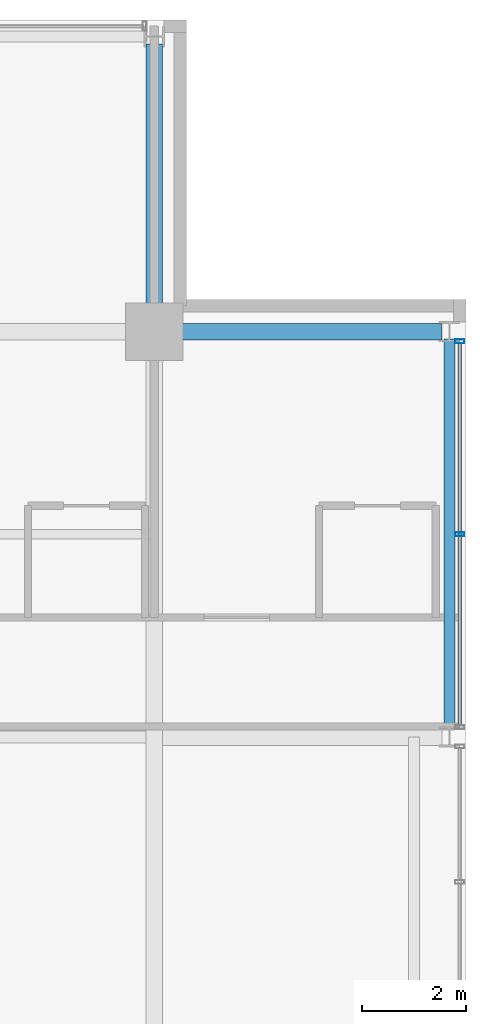
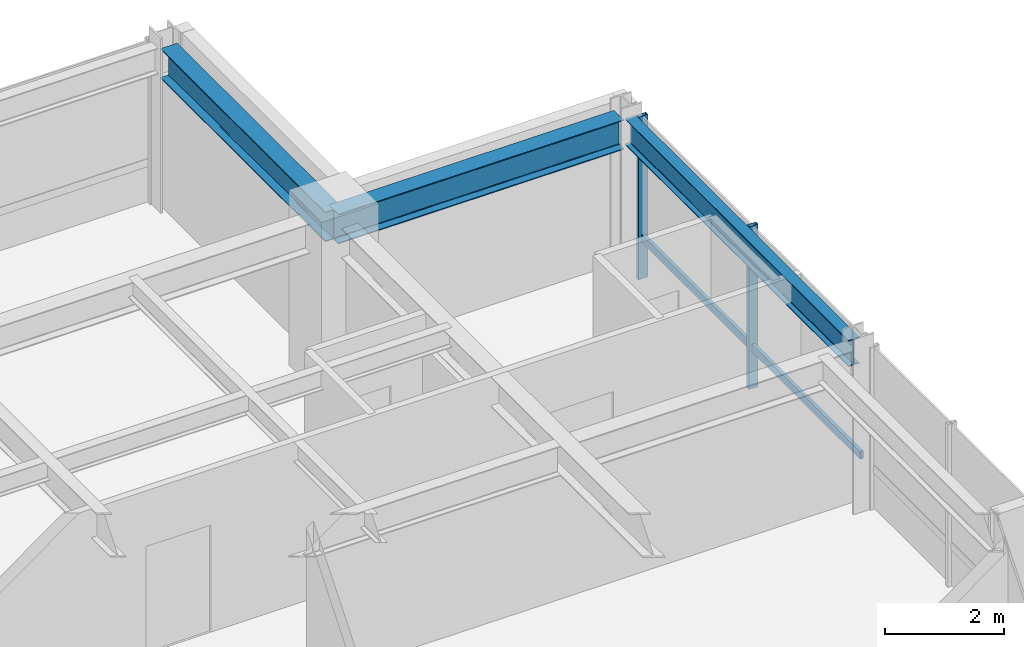
# One storey, part 23 of 32: 3 beams, 3 members, 1 element without a shape of its own.
"""IFC4 building model written with IfcOpenShell, lengths in metres."""

from ifc_helpers import new_model, si_unit, direction, frame, origin, origin_2d, place, context, subcontext, project, spatial, hollow_rectangle, i_section, extrude, material, layer, layer_set, material_profile, profile_set, type_object, element, aggregate, save


model = new_model("IFC4")

# Units and contexts
model_context = context("Model", 3, precision=1e-05, world=origin(), true_north=direction((0.0, 1.0)))
body_context = subcontext(model_context, "Body", "Model", "MODEL_VIEW")
ifc_project = project(units=[si_unit("LENGTHUNIT", "METRE"), si_unit("AREAUNIT", "SQUARE_METRE"), si_unit("VOLUMEUNIT", "CUBIC_METRE"), si_unit("PLANEANGLEUNIT", "RADIAN"), si_unit("MASSUNIT", "GRAM", prefix="KILO")], contexts=[model_context])

# Site, building, storey
site_placement = place(None, origin())
site = spatial("IfcSite", under=ifc_project, at=site_placement, CompositionType="ELEMENT")
building_placement = place(site_placement, origin())
building = spatial("IfcBuilding", under=site, at=building_placement, Name="Drelvath Grand Hotel", CompositionType="ELEMENT")
storey_placement = place(building_placement, frame((0.0, 0.0, 233.89990234375)))
storey = spatial("IfcBuildingStorey", under=building, at=storey_placement, Name="L61", CompositionType="ELEMENT", Elevation=233.89990234375)

# Curtain wall, members
ifc_material_1 = material(Name="Platinum-Mist Anodised Aluminium Frame", Category="aluminium")
ifc_layer = layer(ifc_material_1, 0.199951171875)
ifc_layer_set = layer_set([ifc_layer], Name="Platinum-Mist Anodised Aluminium Frame")
curtain_wall_type = type_object("IfcCurtainWallType", Name="Stick Curtain Wall CW-05 Platinum Mist High-Rise", PredefinedType="NOTDEFINED", material=ifc_layer_set)
curtain_wall_placement = place(storey_placement, origin())
curtain_wall = element("IfcCurtainWall", 1, at=curtain_wall_placement, inside=storey, type_object=curtain_wall_type, Name="L61 CW-05 Curtain Wall CW05-L61-EN2", PredefinedType="NOTDEFINED")
ifc_material_profile_1 = material_profile(ifc_material_1, hollow_rectangle(XDim=0.06494140625, YDim=0.159912109375, WallThickness=0.00390625, at=origin_2d()), Name="HSS160X65X4")
ifc_profile_set_1 = profile_set([ifc_material_profile_1], Name="Platinum-Mist Anodised Aluminium Frame")
member_type_1 = type_object("IfcMemberType", Name="Curtain Wall Horizontal Transom CW-05 HSS160X65X4", PredefinedType="USERDEFINED", material=ifc_profile_set_1)
member_1_placement = place(storey_placement, frame((22.080078125, 42.974609375, 0.835205078125), z_axis=(0.0, -1.0, 0.0), x_axis=(1.0, 0.0, 0.0)))
member_1 = element("IfcMember", 2, at=member_1_placement, type_object=member_type_1, Name="CW05-L61-EN2 Sill Transom", ObjectType="TRANSOM", PredefinedType="USERDEFINED", context=body_context, shape_type="SweptSolid", body=[
    extrude(hollow_rectangle(XDim=0.06494140625, YDim=0.159912109375, WallThickness=0.00390625, at=origin_2d()), origin(), (0.0, 0.0, 1.0), 7.349365234375),
])
ifc_material_profile_2 = material_profile(ifc_material_1, hollow_rectangle(XDim=0.074951171875, YDim=0.179931640625, WallThickness=0.0048828125, at=origin_2d()), Name="HSS180X75X5")
ifc_profile_set_2 = profile_set([ifc_material_profile_2], Name="Platinum-Mist Anodised Aluminium Frame")
member_type_2 = type_object("IfcMemberType", Name="Curtain Wall Vertical Mullion CW-05 HSS180X75X5", PredefinedType="MULLION", material=ifc_profile_set_2)
member_2_placement = place(storey_placement, frame((22.080078125, 43.0146484375, 0.0), z_axis=(0.0, 0.0, 1.0), x_axis=(0.0, 1.0, 0.0)))
member_2 = element("IfcMember", 3, at=member_2_placement, type_object=member_type_2, Name="CW05-L61-EN2 Mullion 1", PredefinedType="MULLION", context=body_context, shape_type="SweptSolid", body=[
    extrude(hollow_rectangle(XDim=0.074951171875, YDim=0.179931640625, WallThickness=0.0048828125, at=origin_2d()), origin(), (0.0, 0.0, 1.0), 3.340087890625),
])
member_3_placement = place(storey_placement, frame((22.080078125, 39.300048828125, 0.0), z_axis=(0.0, 0.0, 1.0), x_axis=(0.0, 1.0, 0.0)))
member_3 = element("IfcMember", 4, at=member_3_placement, type_object=member_type_2, Name="CW05-L61-EN2 Mullion 2", PredefinedType="MULLION", context=body_context, shape_type="SweptSolid", body=[
    extrude(hollow_rectangle(XDim=0.074951171875, YDim=0.179931640625, WallThickness=0.0048828125, at=origin_2d()), origin(), (0.0, 0.0, 1.0), 3.340087890625),
])
aggregate(curtain_wall, [member_2, member_3, member_1])

# Beams
ifc_material_2 = material(Name="Steel ASTM A992 Gr 50", Category="steel")
ifc_material_profile_3 = material_profile(ifc_material_2, i_section(OverallWidth=0.210205078125, OverallDepth=0.53662109375, WebThickness=0.010986328125, FlangeThickness=0.017333984375, FilletRadius=0.01806640625, at=origin_2d()), Name="W21X68")
ifc_profile_set_3 = profile_set([ifc_material_profile_3], Name="Steel ASTM A992 Gr 50")
beam_type_1 = type_object("IfcBeamType", Name="Perimeter Spandrel Beam W21X68", PredefinedType="SPANDREL", material=ifc_profile_set_3)
beam_placement = place(storey_placement, frame((21.8798828125, 35.5400390625, 3.07177734375), z_axis=(0.0, 1.0, 0.0), x_axis=(-1.0, 0.0, 0.0)))
element("IfcBeam", 5, at=beam_placement, inside=storey, type_object=beam_type_1, Name="L61 Spandrel East N", PredefinedType="SPANDREL", context=body_context, shape_type="SweptSolid", body=[
    extrude(i_section(OverallWidth=0.210205078125, OverallDepth=0.53662109375, WebThickness=0.010986328125, FlangeThickness=0.017333984375, FilletRadius=0.01806640625, at=origin_2d()), origin(), (0.0, 0.0, 1.0), 7.52001953125),
])
ifc_material_profile_4 = material_profile(ifc_material_2, i_section(OverallWidth=0.323974609375, OverallDepth=0.611083984375, WebThickness=0.0126953125, FlangeThickness=0.01904296875, FilletRadius=0.02197265625, at=origin_2d()), Name="W24X104")
ifc_profile_set_4 = profile_set([ifc_material_profile_4], Name="Steel ASTM A992 Gr 50")
beam_type_2 = type_object("IfcBeamType", Name="Primary Floor Girder W24X104", PredefinedType="BEAM", material=ifc_profile_set_4)
for number, where, z_axis, x_axis, name in (
    (6, (16.199951171875, 43.199951171875, 3.034423828125), (1.0, 0.0, 0.0), (0.0, 1.0, 0.0), "L61 East Grid Girder G"),
    (7, (16.199951171875, 43.199951171875, 3.034423828125), (0.0, 1.0, 0.0), (-1.0, 0.0, 0.0), "L61 North Grid Girder 7"),
):
    element("IfcBeam", number, at=place(storey_placement, frame(where, z_axis=z_axis, x_axis=x_axis)), inside=storey, type_object=beam_type_2, Name=name, PredefinedType="BEAM", context=body_context, shape_type="SweptSolid", body=[
        extrude(i_section(OverallWidth=0.323974609375, OverallDepth=0.611083984375, WebThickness=0.0126953125, FlangeThickness=0.01904296875, FilletRadius=0.02197265625, at=origin_2d()), origin(), (0.0, 0.0, 1.0), 5.5400390625),
    ])

save(model, "model.ifc")
